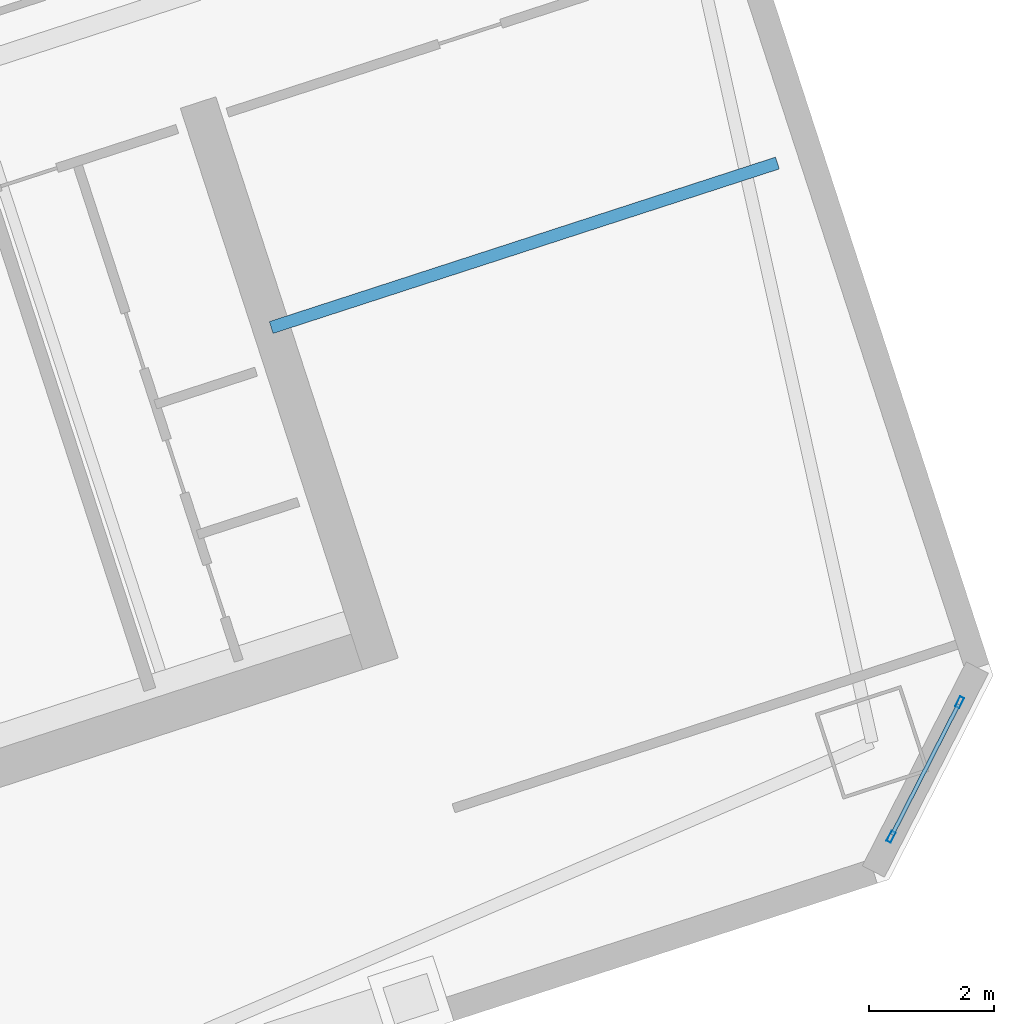
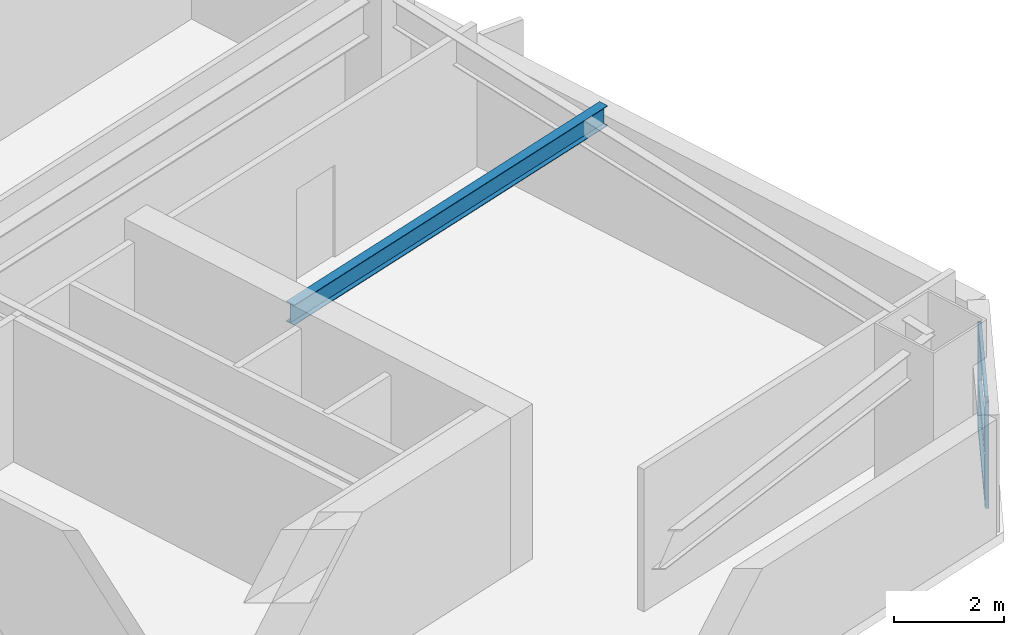
# One storey, part 9 of 24: 5 members, 1 beam, 1 element without a shape of its own.
"""IFC4 building model written with IfcOpenShell, lengths in metres."""

from ifc_helpers import new_model, si_unit, direction, frame, origin, origin_2d, place, context, subcontext, project, spatial, hollow_rectangle, i_section, extrude, material, layer, layer_set, material_profile, profile_set, type_object, element, aggregate, save


model = new_model("IFC4")

# Units and contexts
model_context = context("Model", 3, precision=1e-05, world=origin(), true_north=direction((0.0, 1.0)))
body_context = subcontext(model_context, "Body", "Model", "MODEL_VIEW")
ifc_project = project(units=[si_unit("LENGTHUNIT", "METRE"), si_unit("AREAUNIT", "SQUARE_METRE"), si_unit("VOLUMEUNIT", "CUBIC_METRE"), si_unit("PLANEANGLEUNIT", "RADIAN"), si_unit("MASSUNIT", "GRAM", prefix="KILO")], contexts=[model_context])

# Site, building, storey
site_placement = place(None, origin())
site = spatial("IfcSite", under=ifc_project, at=site_placement, CompositionType="ELEMENT")
building_placement = place(site_placement, origin())
building = spatial("IfcBuilding", under=site, at=building_placement, Name="Qiaolan Cultural Towers", CompositionType="ELEMENT")
storey_placement = place(building_placement, frame((0.0, 0.0, 120.75)))
storey = spatial("IfcBuildingStorey", under=building, at=storey_placement, Name="L31", CompositionType="ELEMENT", Elevation=120.75)

# Beam
ifc_material_1 = material(Name="Steel Q355B", Category="steel")
ifc_material_profile_1 = material_profile(ifc_material_1, i_section(OverallWidth=0.199951171875, OverallDepth=0.449951171875, WebThickness=0.009033203125, FlangeThickness=0.013916015625, at=origin_2d()), Name="HN450x200x9x14")
ifc_profile_set_1 = profile_set([ifc_material_profile_1], Name="Steel Q355B")
beam_type = type_object("IfcBeamType", Name="BM-LNT-HN450x200x9x14", PredefinedType="LINTEL", material=ifc_profile_set_1)
beam_placement = place(storey_placement, frame((102.279296875, 22.74365234375, 2.965087890625), z_axis=(0.951057358187, 0.309014403287, 0.0), x_axis=(-0.309014403287, 0.951057358187, 0.0)))
element("IfcBeam", 1, at=beam_placement, inside=storey, type_object=beam_type, Name="L31 T2 Core Flank Tie Lintel ES", PredefinedType="LINTEL", context=body_context, shape_type="SweptSolid", body=[
    extrude(i_section(OverallWidth=0.199951171875, OverallDepth=0.449951171875, WebThickness=0.009033203125, FlangeThickness=0.013916015625, at=origin_2d()), origin(), (0.0, 0.0, 1.0), 8.550048828125),
])

# Curtain wall, members
ifc_material_2 = material(Name="Unitized Anodized Aluminium Curtain Wall System", Category="aluminium")
ifc_layer = layer(ifc_material_2, 0.199951171875)
ifc_layer_set = layer_set([ifc_layer], Name="Unitized Anodized Aluminium Curtain Wall System")
curtain_wall_type = type_object("IfcCurtainWallType", Name="CWS-03", PredefinedType="NOTDEFINED", material=ifc_layer_set)
curtain_wall_placement = place(storey_placement, origin())
curtain_wall = element("IfcCurtainWall", 2, at=curtain_wall_placement, inside=storey, type_object=curtain_wall_type, Name="L31 T2 Chamfer Wind-Corner Feature Curtain Wall 2", PredefinedType="NOTDEFINED")
ifc_material_3 = material(Name="Extruded Aluminium 6063-T6", Category="aluminium")
ifc_material_profile_2 = material_profile(ifc_material_3, hollow_rectangle(XDim=0.074951171875, YDim=0.179931640625, WallThickness=0.00390625, at=origin_2d()), Name="CWM-180x75x4")
ifc_profile_set_2 = profile_set([ifc_material_profile_2], Name="Extruded Aluminium 6063-T6")
member_type_1 = type_object("IfcMemberType", Name="CWS-03-MUL", PredefinedType="MULLION", material=ifc_profile_set_2)
member_1_placement = place(storey_placement, frame((113.33837890625, 16.723876953125, 0.14990234375), z_axis=(0.0, 0.0, 1.0), x_axis=(0.891006262447, -0.453991013436, 0.0)))
member_1 = element("IfcMember", 3, at=member_1_placement, type_object=member_type_1, Name="CW-3 mullion 1", PredefinedType="MULLION", context=body_context, shape_type="SweptSolid", body=[
    extrude(hollow_rectangle(XDim=0.074951171875, YDim=0.179931640625, WallThickness=0.00390625, at=origin_2d()), origin(), (0.0, 0.0, 1.0), 2.360107421875),
])
member_2_placement = place(storey_placement, frame((112.2373046875, 14.56298828125, 0.14990234375), z_axis=(0.0, 0.0, 1.0), x_axis=(0.891006262447, -0.453991013436, 0.0)))
member_2 = element("IfcMember", 4, at=member_2_placement, type_object=member_type_1, Name="CW-3 mullion 2", PredefinedType="MULLION", context=body_context, shape_type="SweptSolid", body=[
    extrude(hollow_rectangle(XDim=0.074951171875, YDim=0.179931640625, WallThickness=0.00390625, at=origin_2d()), origin(), (0.0, 0.0, 1.0), 2.360107421875),
])
ifc_material_4 = material(Name="Extruded Aluminium 6063-T6", Category="aluminium")
ifc_material_profile_3 = material_profile(ifc_material_4, hollow_rectangle(XDim=0.06494140625, YDim=0.14990234375, WallThickness=0.00390625, at=origin_2d()), Name="CWT-150x65x4")
ifc_profile_set_3 = profile_set([ifc_material_profile_3], Name="Extruded Aluminium 6063-T6")
member_type_2 = type_object("IfcMemberType", Name="CWS-03-TRN", PredefinedType="USERDEFINED", material=ifc_profile_set_3)
member_3_placement = place(storey_placement, frame((113.3212890625, 16.6904296875, 0.1826171875), z_axis=(-0.453932005663, -0.89103632599, 0.0), x_axis=(0.89103632599, -0.453932005663, 0.0)))
member_3 = element("IfcMember", 5, at=member_3_placement, type_object=member_type_2, Name="CW-3 transom 1.1", ObjectType="TRANSOM", PredefinedType="USERDEFINED", context=body_context, shape_type="SweptSolid", body=[
    extrude(hollow_rectangle(XDim=0.06494140625, YDim=0.14990234375, WallThickness=0.00390625, at=origin_2d()), origin(), (0.0, 0.0, 1.0), 2.350341796875),
])
member_4_placement = place(storey_placement, frame((113.3212890625, 16.6904296875, 1.25), z_axis=(-0.453932005663, -0.89103632599, 0.0), x_axis=(0.89103632599, -0.453932005663, 0.0)))
member_4 = element("IfcMember", 6, at=member_4_placement, type_object=member_type_2, Name="CW-3 transom 1.2", ObjectType="TRANSOM", PredefinedType="USERDEFINED", context=body_context, shape_type="SweptSolid", body=[
    extrude(hollow_rectangle(XDim=0.06494140625, YDim=0.14990234375, WallThickness=0.00390625, at=origin_2d()), origin(), (0.0, 0.0, 1.0), 2.350341796875),
])
member_5_placement = place(storey_placement, frame((113.3212890625, 16.6904296875, 2.4775390625), z_axis=(-0.453932005663, -0.89103632599, 0.0), x_axis=(0.89103632599, -0.453932005663, 0.0)))
member_5 = element("IfcMember", 7, at=member_5_placement, type_object=member_type_2, Name="CW-3 transom 1.3", ObjectType="TRANSOM", PredefinedType="USERDEFINED", context=body_context, shape_type="SweptSolid", body=[
    extrude(hollow_rectangle(XDim=0.06494140625, YDim=0.14990234375, WallThickness=0.00390625, at=origin_2d()), origin(), (0.0, 0.0, 1.0), 2.350341796875),
])
aggregate(curtain_wall, [member_1, member_2, member_3, member_4, member_5])

save(model, "model.ifc")
